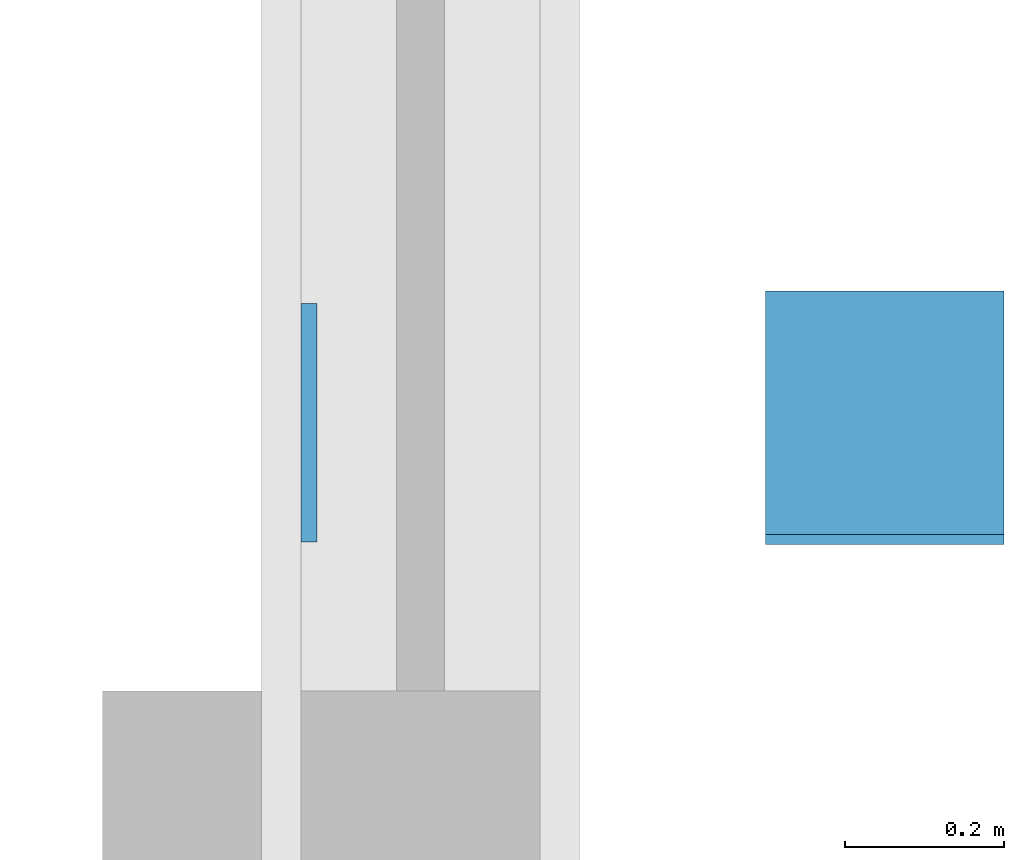
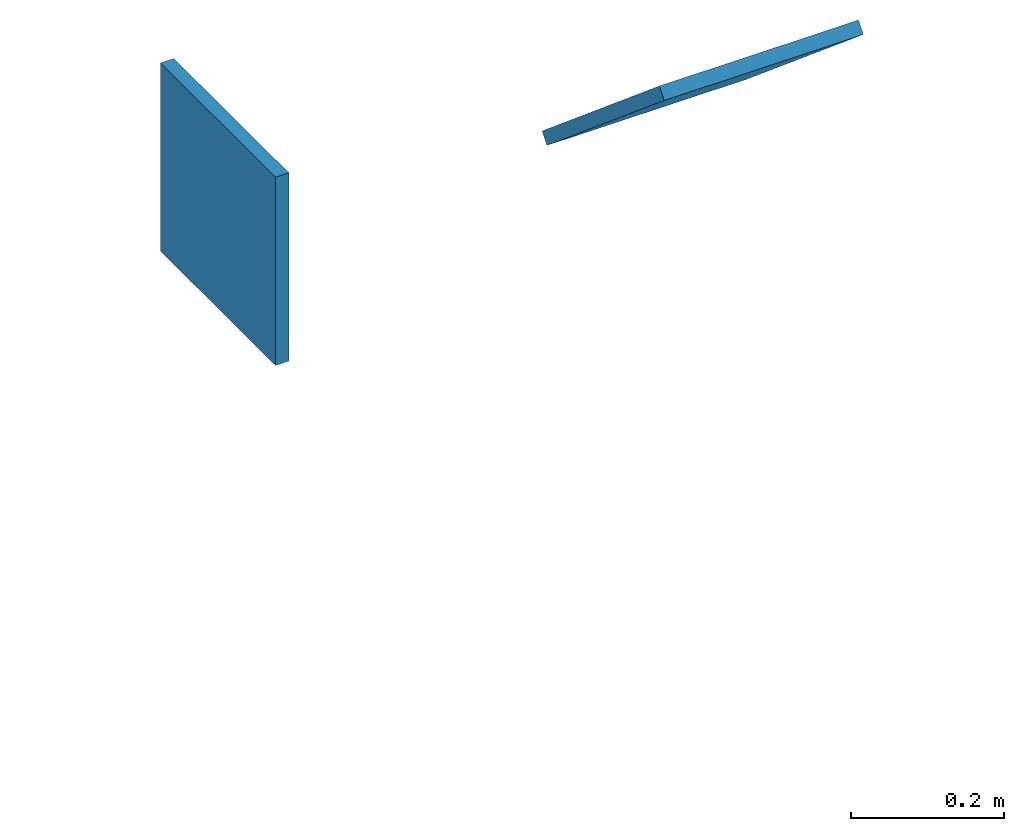
# One storey, part 12 of 13: 2 discrete accessories.
"""IFC4 building model written with IfcOpenShell, lengths in metres."""

from ifc_helpers import new_model, si_unit, direction, frame, origin, origin_2d, place, context, subcontext, project, spatial, polyline, rectangle, outline, extrude, material, element, save


model = new_model("IFC4")

# Units and contexts
model_context = context("Model", 3, precision=1e-05, world=origin(), true_north=direction((0.0, 1.0)))
body_context = subcontext(model_context, "Body", "Model", "MODEL_VIEW")
ifc_project = project(units=[si_unit("LENGTHUNIT", "METRE"), si_unit("AREAUNIT", "SQUARE_METRE"), si_unit("VOLUMEUNIT", "CUBIC_METRE"), si_unit("PLANEANGLEUNIT", "RADIAN"), si_unit("MASSUNIT", "GRAM", prefix="KILO")], contexts=[model_context])

# Site, building, storey
site_placement = place(None, origin())
site = spatial("IfcSite", under=ifc_project, at=site_placement, CompositionType="ELEMENT")
building_placement = place(site_placement, origin())
building = spatial("IfcBuilding", under=site, at=building_placement, Name="Silangan Lancet Faculty of Sciences", CompositionType="ELEMENT")
storey_placement = place(building_placement, frame((0.0, 0.0, 49.800048828125)))
storey = spatial("IfcBuildingStorey", under=building, at=storey_placement, Name="L10", CompositionType="ELEMENT", Elevation=49.800048828125)

# Discrete accessories
ifc_material_1 = material(Name="Steel S355", Category="steel")
discrete_accessory_1_placement = place(storey_placement, frame((28.659912109375, 52.08740234375, 12.74365234375), z_axis=(0.0, 0.0, 1.0), x_axis=(1.0, 0.0, 0.0)))
element("IfcDiscreteAccessory", 1, at=discrete_accessory_1_placement, inside=storey, material=ifc_material_1, Name="Cast-in plate CIP1, end truss north mid post head", PredefinedType="ANCHORPLATE", context=body_context, shape_type="SweptSolid", body=[
    extrude(rectangle(XDim=0.02001953125, YDim=0.300048828125, at=origin_2d()), origin(), (0.0, 0.0, 1.0), 0.300048828125),
])
ifc_material_2 = material(Name="Steel STK400", Category="steel")
discrete_accessory_2_placement = place(storey_placement, frame((29.233642578125, 51.947021484375, 12.978759765625), z_axis=(0.0, 0.643421121985, 0.765512416479), x_axis=(1.0, 0.0, 0.0)))
element("IfcDiscreteAccessory", 2, at=discrete_accessory_2_placement, inside=storey, material=ifc_material_2, Name="Gable truss strut head plate B", ObjectType="CONNECTION PLATE", PredefinedType="USERDEFINED", context=body_context, shape_type="SweptSolid", body=[
    extrude(outline(polyline([(0.0, 0.0), (0.300048828125, 0.0), (0.300048828125, 0.3999312580168197), (0.0, 0.3999312580168197), (0.0, 0.0)])), origin(), (0.0, 0.0, -1.0), 0.02001953125),
])

save(model, "model.ifc")
